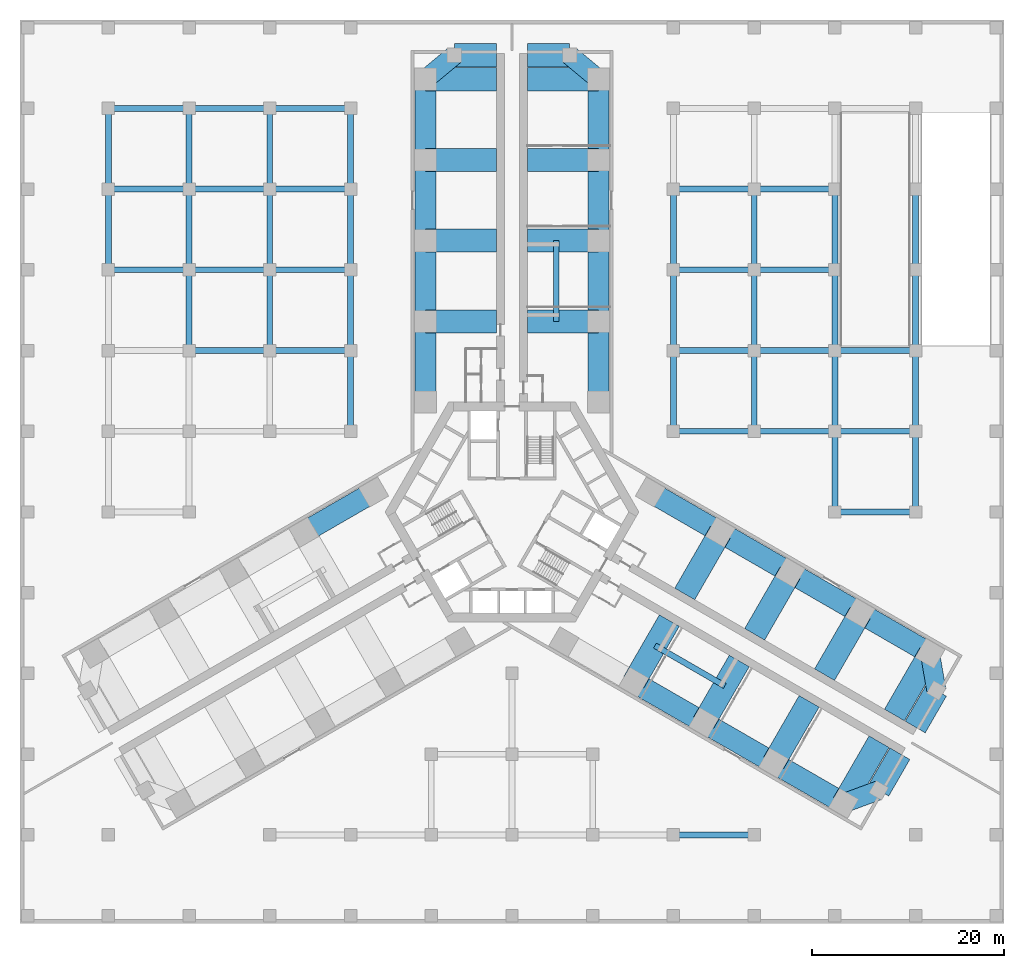
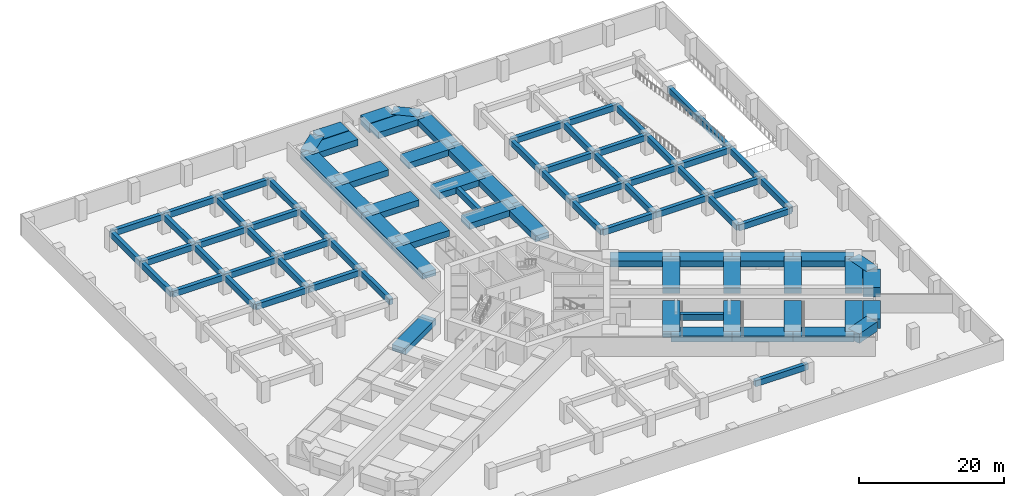
# One storey, part 2 of 10: 91 beams.
"""IFC4 building model written with IfcOpenShell, lengths in metres."""

from ifc_helpers import new_model, si_unit, direction, frame, origin, origin_2d, place, context, subcontext, project, spatial, rectangle, extrude, material, material_profile, profile_set, type_object, element, save


model = new_model("IFC4")

# Units and contexts
model_context = context("Model", 3, precision=1e-05, world=origin(), true_north=direction((0.0, 1.0)))
body_context = subcontext(model_context, "Body", "Model", "MODEL_VIEW")
ifc_project = project(units=[si_unit("LENGTHUNIT", "METRE"), si_unit("AREAUNIT", "SQUARE_METRE"), si_unit("VOLUMEUNIT", "CUBIC_METRE"), si_unit("PLANEANGLEUNIT", "RADIAN"), si_unit("MASSUNIT", "GRAM", prefix="KILO")], contexts=[model_context])

# Site, building, storey
site_placement = place(None, origin())
site = spatial("IfcSite", under=ifc_project, at=site_placement, CompositionType="ELEMENT")
building_placement = place(site_placement, origin())
building = spatial("IfcBuilding", under=site, at=building_placement, Name="Impinga Residences", CompositionType="ELEMENT")
storey_placement = place(building_placement, frame((0.0, 0.0, -3.5)))
storey = spatial("IfcBuildingStorey", under=building, at=storey_placement, Name="B1", CompositionType="ELEMENT", Elevation=-3.5)

# Beams
ifc_material = material(Name="Concrete C60/75", Category="concrete")
ifc_material_profile_1 = material_profile(ifc_material, rectangle(XDim=2.0, YDim=1.60009765625, at=origin_2d()), Name="RC 2000x1600")
ifc_profile_set_1 = profile_set([ifc_material_profile_1], Name="Concrete C60/75")
beam_type_1 = type_object("IfcBeamType", Name="CB2 2000x1600 wing end cantilever beam", PredefinedType="BEAM", material=ifc_profile_set_1)
for number, where, z_axis, x_axis, name in (
    (1, (-9.0, 45.031494140625, 2.35009765625), (0.768221279597, 0.640184399664, 0.0), (-0.640184399664, 0.768221279597, 0.0), "Beam CB2 NB N5-NX level L00"),
    (2, (9.0, 45.031494140625, 2.35009765625), (-0.768221279597, 0.640184399664, 0.0), (-0.640184399664, -0.768221279597, 0.0), "Beam CB2 NE N5-NX level L00"),
):
    element("IfcBeam", number, at=place(storey_placement, frame(where, z_axis=z_axis, x_axis=x_axis)), inside=storey, type_object=beam_type_1, Name=name, PredefinedType="BEAM", context=body_context, shape_type="SweptSolid", body=[
        extrude(rectangle(XDim=2.0, YDim=1.60009765625, at=origin_2d()), origin(), (0.0, 0.0, 1.0), 3.905029296875),
    ])
beam_1_placement = place(storey_placement, frame((43.49853515625, -14.721435546875, 2.35009765625), z_axis=(0.170296298948, -0.985392901621, 0.0), x_axis=(0.985392901621, 0.170296298948, 0.0)))
element("IfcBeam", 3, at=beam_1_placement, inside=storey, type_object=beam_type_1, Name="Beam CB2 EB E5-EX level L00", PredefinedType="BEAM", context=body_context, shape_type="SweptSolid", body=[
    extrude(rectangle(XDim=2.0, YDim=1.60009765625, at=origin_2d()), origin(), (0.0, 0.0, 1.0), 3.9052734375),
])
beam_2_placement = place(storey_placement, frame((34.49853515625, -30.31005859375, 2.35009765625), z_axis=(0.938520178725, 0.345224382289, 0.0), x_axis=(-0.345224382289, 0.938520178725, 0.0)))
element("IfcBeam", 4, at=beam_2_placement, inside=storey, type_object=beam_type_1, Name="Beam CB2 EE E5-EX level L00", PredefinedType="BEAM", context=body_context, shape_type="SweptSolid", body=[
    extrude(rectangle(XDim=2.0, YDim=1.60009765625, at=origin_2d()), origin(), (0.0, 0.0, 1.0), 3.905029296875),
])
ifc_material_profile_2 = material_profile(ifc_material, rectangle(XDim=2.39990234375, YDim=1.050048828125, at=origin_2d()), Name="RC 2400x1050")
ifc_profile_set_2 = profile_set([ifc_material_profile_2], Name="Concrete C60/75")
beam_type_2 = type_object("IfcBeamType", Name="CG3 2400x1050 cross girder on a wing bay line under the ground floor", PredefinedType="BEAM", material=ifc_profile_set_2)
for number, where, z_axis, x_axis, name in (
    (5, (-1.60009765625, 19.83154296875, 2.625), (-1.0, 0.0, 0.0), (0.0, -1.0, 0.0), "Beam CG3 N2 NC/NA level L00"),
    (6, (-1.60009765625, 28.2314453125, 2.625), (-1.0, 0.0, 0.0), (0.0, -1.0, 0.0), "Beam CG3 N3 NC/NA level L00"),
    (7, (-1.60009765625, 36.631591796875, 2.625), (-1.0, 0.0, 0.0), (0.0, -1.0, 0.0), "Beam CG3 N4 NC/NA level L00"),
    (8, (-1.60009765625, 45.031494140625, 2.625), (-1.0, 0.0, 0.0), (0.0, -1.0, 0.0), "Beam CG3 N5 NC/NA level L00"),
    (9, (1.60009765625, 19.83154296875, 2.625), (1.0, 0.0, 0.0), (0.0, 1.0, 0.0), "Beam CG3 N2 NC/NF level L00"),
    (10, (1.60009765625, 28.2314453125, 2.625), (1.0, 0.0, 0.0), (0.0, 1.0, 0.0), "Beam CG3 N3 NC/NF level L00"),
    (11, (1.60009765625, 36.631591796875, 2.625), (1.0, 0.0, 0.0), (0.0, 1.0, 0.0), "Beam CG3 N4 NC/NF level L00"),
    (12, (1.60009765625, 45.031494140625, 2.625), (1.0, 0.0, 0.0), (0.0, 1.0, 0.0), "Beam CG3 N5 NC/NF level L00"),
    (13, (17.974609375, -8.530029296875, 2.625), (0.500003285667, 0.866023506795, 0.0), (-0.866023506795, 0.500003285667, 0.0), "Beam CG3 E2 EC/EA level L00"),
):
    element("IfcBeam", number, at=place(storey_placement, frame(where, z_axis=z_axis, x_axis=x_axis)), inside=storey, type_object=beam_type_2, Name=name, PredefinedType="BEAM", context=body_context, shape_type="SweptSolid", body=[
        extrude(rectangle(XDim=2.39990234375, YDim=1.050048828125, at=origin_2d()), origin(), (0.0, 0.0, 1.0), 7.39990234375),
    ])
for number, where, z_axis, x_axis, name in (
    (14, (25.249267578125, -12.730224609375, 2.625), (0.499988999718, 0.866031754707, 0.0), (-0.866031754707, 0.499988999718, 0.0), "Beam CG3 E3 EC/EA level L00"),
    (15, (32.52392578125, -16.93017578125, 2.625), (0.499988999718, 0.866031754707, 0.0), (-0.866031754707, 0.499988999718, 0.0), "Beam CG3 E4 EC/EA level L00"),
    (16, (39.79833984375, -21.130126953125, 2.625), (0.500013743233, 0.86601746898, 0.0), (-0.86601746898, 0.500013743233, 0.0), "Beam CG3 E5 EC/EA level L00"),
):
    element("IfcBeam", number, at=place(storey_placement, frame(where, z_axis=z_axis, x_axis=x_axis)), inside=storey, type_object=beam_type_2, Name=name, PredefinedType="BEAM", context=body_context, shape_type="SweptSolid", body=[
        extrude(rectangle(XDim=2.39990234375, YDim=1.050048828125, at=origin_2d()), origin(), (0.0, 0.0, 1.0), 7.400146484375),
    ])
for number, where, z_axis, x_axis, name in (
    (17, (16.37451171875, -11.301513671875, 2.625), (-0.500003285667, -0.866023506795, 0.0), (0.866023506795, -0.500003285667, 0.0), "Beam CG3 E2 EC/EF level L00"),
    (18, (23.649169921875, -15.50146484375, 2.625), (-0.500003285667, -0.866023506795, 0.0), (0.866023506795, -0.500003285667, 0.0), "Beam CG3 E3 EC/EF level L00"),
):
    element("IfcBeam", number, at=place(storey_placement, frame(where, z_axis=z_axis, x_axis=x_axis)), inside=storey, type_object=beam_type_2, Name=name, PredefinedType="BEAM", context=body_context, shape_type="SweptSolid", body=[
        extrude(rectangle(XDim=2.39990234375, YDim=1.050048828125, at=origin_2d()), origin(), (0.0, 0.0, 1.0), 7.39990234375),
    ])
for number, where, z_axis, x_axis, name in (
    (19, (30.923828125, -19.701416015625, 2.625), (-0.499988999718, -0.866031754707, 0.0), (0.866031754707, -0.499988999718, 0.0), "Beam CG3 E4 EC/EF level L00"),
    (20, (38.198486328125, -23.9013671875, 2.625), (-0.499988999718, -0.866031754707, 0.0), (0.866031754707, -0.499988999718, 0.0), "Beam CG3 E5 EC/EF level L00"),
):
    element("IfcBeam", number, at=place(storey_placement, frame(where, z_axis=z_axis, x_axis=x_axis)), inside=storey, type_object=beam_type_2, Name=name, PredefinedType="BEAM", context=body_context, shape_type="SweptSolid", body=[
        extrude(rectangle(XDim=2.39990234375, YDim=1.050048828125, at=origin_2d()), origin(), (0.0, 0.0, 1.0), 7.400146484375),
    ])
ifc_material_profile_3 = material_profile(ifc_material, rectangle(XDim=2.39990234375, YDim=1.60009765625, at=origin_2d()), Name="RC 2400x1600")
ifc_profile_set_3 = profile_set([ifc_material_profile_3], Name="Concrete C60/75")
beam_type_3 = type_object("IfcBeamType", Name="EB2 2400x1600 wing end beam", PredefinedType="BEAM", material=ifc_profile_set_3)
for number, where, z_axis, x_axis, name in (
    (21, (-6.0, 47.531494140625, 2.35009765625), (1.0, 0.0, 0.0), (0.0, 1.0, 0.0), "Beam EB2 NX4 level L00"),
    (22, (1.60009765625, 47.531494140625, 2.35009765625), (1.0, 0.0, 0.0), (0.0, 1.0, 0.0), "Beam EB2 NX4 level L00"),
    (23, (44.16357421875, -18.569580078125, 2.35009765625), (-0.499988222896, -0.866032203192, 0.0), (0.866032203192, -0.499988222896, 0.0), "Beam EB2 EX4 level L00"),
    (24, (40.363525390625, -25.1513671875, 2.35009765625), (-0.499988222896, -0.866032203192, 0.0), (0.866032203192, -0.499988222896, 0.0), "Beam EB2 EX4 level L00"),
):
    element("IfcBeam", number, at=place(storey_placement, frame(where, z_axis=z_axis, x_axis=x_axis)), inside=storey, type_object=beam_type_3, Name=name, PredefinedType="BEAM", context=body_context, shape_type="SweptSolid", body=[
        extrude(rectangle(XDim=2.39990234375, YDim=1.60009765625, at=origin_2d()), origin(), (0.0, 0.0, 1.0), 4.39990234375),
    ])
ifc_material_profile_4 = material_profile(ifc_material, rectangle(XDim=0.60009765625, YDim=1.0, at=origin_2d()), Name="RC 600x1000")
ifc_profile_set_4 = profile_set([ifc_material_profile_4], Name="Concrete C60/75")
beam_type_4 = type_object("IfcBeamType", Name="PB1 600x1000 basement and ground floor beam", PredefinedType="BEAM", material=ifc_profile_set_4)
for number, where, z_axis, x_axis, name in (
    (25, (16.800048828125, -33.60009765625, 2.64990234375), (1.0, 0.0, 0.0), (0.0, 1.0, 0.0), "Beam PB1 B/9-10 level L00"),
    (26, (33.60009765625, 0.0, 2.64990234375), (1.0, 0.0, 0.0), (0.0, 1.0, 0.0), "Beam PB1 F/11-12 level L00"),
    (27, (16.800048828125, 8.39990234375, 2.64990234375), (1.0, 0.0, 0.0), (0.0, 1.0, 0.0), "Beam PB1 G/9-10 level L00"),
):
    element("IfcBeam", number, at=place(storey_placement, frame(where, z_axis=z_axis, x_axis=x_axis)), inside=storey, type_object=beam_type_4, Name=name, PredefinedType="BEAM", context=body_context, shape_type="SweptSolid", body=[
        extrude(rectangle(XDim=0.60009765625, YDim=1.0, at=origin_2d()), origin(), (0.0, 0.0, 1.0), 8.39990234375),
    ])
beam_3_placement = place(storey_placement, frame((25.199951171875, 8.39990234375, 2.64990234375), z_axis=(1.0, 0.0, 0.0), x_axis=(0.0, 1.0, 0.0)))
element("IfcBeam", 28, at=beam_3_placement, inside=storey, type_object=beam_type_4, Name="Beam PB1 G/10-11 level L00", PredefinedType="BEAM", context=body_context, shape_type="SweptSolid", body=[
    extrude(rectangle(XDim=0.60009765625, YDim=1.0, at=origin_2d()), origin(), (0.0, 0.0, 1.0), 8.400146484375),
])
beam_4_placement = place(storey_placement, frame((33.60009765625, 8.39990234375, 2.64990234375), z_axis=(1.0, 0.0, 0.0), x_axis=(0.0, 1.0, 0.0)))
element("IfcBeam", 29, at=beam_4_placement, inside=storey, type_object=beam_type_4, Name="Beam PB1 G/11-12 level L00", PredefinedType="BEAM", context=body_context, shape_type="SweptSolid", body=[
    extrude(rectangle(XDim=0.60009765625, YDim=1.0, at=origin_2d()), origin(), (0.0, 0.0, 1.0), 8.39990234375),
])
beam_5_placement = place(storey_placement, frame((-33.60009765625, 16.800048828125, 2.64990234375), z_axis=(1.0, 0.0, 0.0), x_axis=(0.0, 1.0, 0.0)))
element("IfcBeam", 30, at=beam_5_placement, inside=storey, type_object=beam_type_4, Name="Beam PB1 H/3-4 level L00", PredefinedType="BEAM", context=body_context, shape_type="SweptSolid", body=[
    extrude(rectangle(XDim=0.60009765625, YDim=1.0, at=origin_2d()), origin(), (0.0, 0.0, 1.0), 8.400146484375),
])
for number, where, z_axis, x_axis, name in (
    (31, (-25.199951171875, 16.800048828125, 2.64990234375), (1.0, 0.0, 0.0), (0.0, 1.0, 0.0), "Beam PB1 H/4-5 level L00"),
    (32, (16.800048828125, 16.800048828125, 2.64990234375), (1.0, 0.0, 0.0), (0.0, 1.0, 0.0), "Beam PB1 H/9-10 level L00"),
):
    element("IfcBeam", number, at=place(storey_placement, frame(where, z_axis=z_axis, x_axis=x_axis)), inside=storey, type_object=beam_type_4, Name=name, PredefinedType="BEAM", context=body_context, shape_type="SweptSolid", body=[
        extrude(rectangle(XDim=0.60009765625, YDim=1.0, at=origin_2d()), origin(), (0.0, 0.0, 1.0), 8.39990234375),
    ])
beam_6_placement = place(storey_placement, frame((25.199951171875, 16.800048828125, 2.64990234375), z_axis=(1.0, 0.0, 0.0), x_axis=(0.0, 1.0, 0.0)))
element("IfcBeam", 33, at=beam_6_placement, inside=storey, type_object=beam_type_4, Name="Beam PB1 H/10-11 level L00", PredefinedType="BEAM", context=body_context, shape_type="SweptSolid", body=[
    extrude(rectangle(XDim=0.60009765625, YDim=1.0, at=origin_2d()), origin(), (0.0, 0.0, 1.0), 8.400146484375),
])
for number, where, z_axis, x_axis, name in (
    (34, (33.60009765625, 16.800048828125, 2.64990234375), (1.0, 0.0, 0.0), (0.0, 1.0, 0.0), "Beam PB1 H/11-12 level L00"),
    (35, (-42.0, 25.199951171875, 2.64990234375), (1.0, 0.0, 0.0), (0.0, 1.0, 0.0), "Beam PB1 J/2-3 level L00"),
):
    element("IfcBeam", number, at=place(storey_placement, frame(where, z_axis=z_axis, x_axis=x_axis)), inside=storey, type_object=beam_type_4, Name=name, PredefinedType="BEAM", context=body_context, shape_type="SweptSolid", body=[
        extrude(rectangle(XDim=0.60009765625, YDim=1.0, at=origin_2d()), origin(), (0.0, 0.0, 1.0), 8.39990234375),
    ])
beam_7_placement = place(storey_placement, frame((-33.60009765625, 25.199951171875, 2.64990234375), z_axis=(1.0, 0.0, 0.0), x_axis=(0.0, 1.0, 0.0)))
element("IfcBeam", 36, at=beam_7_placement, inside=storey, type_object=beam_type_4, Name="Beam PB1 J/3-4 level L00", PredefinedType="BEAM", context=body_context, shape_type="SweptSolid", body=[
    extrude(rectangle(XDim=0.60009765625, YDim=1.0, at=origin_2d()), origin(), (0.0, 0.0, 1.0), 8.400146484375),
])
for number, where, z_axis, x_axis, name in (
    (37, (-25.199951171875, 25.199951171875, 2.64990234375), (1.0, 0.0, 0.0), (0.0, 1.0, 0.0), "Beam PB1 J/4-5 level L00"),
    (38, (16.800048828125, 25.199951171875, 2.64990234375), (1.0, 0.0, 0.0), (0.0, 1.0, 0.0), "Beam PB1 J/9-10 level L00"),
):
    element("IfcBeam", number, at=place(storey_placement, frame(where, z_axis=z_axis, x_axis=x_axis)), inside=storey, type_object=beam_type_4, Name=name, PredefinedType="BEAM", context=body_context, shape_type="SweptSolid", body=[
        extrude(rectangle(XDim=0.60009765625, YDim=1.0, at=origin_2d()), origin(), (0.0, 0.0, 1.0), 8.39990234375),
    ])
beam_8_placement = place(storey_placement, frame((25.199951171875, 25.199951171875, 2.64990234375), z_axis=(1.0, 0.0, 0.0), x_axis=(0.0, 1.0, 0.0)))
element("IfcBeam", 39, at=beam_8_placement, inside=storey, type_object=beam_type_4, Name="Beam PB1 J/10-11 level L00", PredefinedType="BEAM", context=body_context, shape_type="SweptSolid", body=[
    extrude(rectangle(XDim=0.60009765625, YDim=1.0, at=origin_2d()), origin(), (0.0, 0.0, 1.0), 8.400146484375),
])
beam_9_placement = place(storey_placement, frame((-42.0, 33.60009765625, 2.64990234375), z_axis=(1.0, 0.0, 0.0), x_axis=(0.0, 1.0, 0.0)))
element("IfcBeam", 40, at=beam_9_placement, inside=storey, type_object=beam_type_4, Name="Beam PB1 K/2-3 level L00", PredefinedType="BEAM", context=body_context, shape_type="SweptSolid", body=[
    extrude(rectangle(XDim=0.60009765625, YDim=1.0, at=origin_2d()), origin(), (0.0, 0.0, 1.0), 8.39990234375),
])
beam_10_placement = place(storey_placement, frame((-33.60009765625, 33.60009765625, 2.64990234375), z_axis=(1.0, 0.0, 0.0), x_axis=(0.0, 1.0, 0.0)))
element("IfcBeam", 41, at=beam_10_placement, inside=storey, type_object=beam_type_4, Name="Beam PB1 K/3-4 level L00", PredefinedType="BEAM", context=body_context, shape_type="SweptSolid", body=[
    extrude(rectangle(XDim=0.60009765625, YDim=1.0, at=origin_2d()), origin(), (0.0, 0.0, 1.0), 8.400146484375),
])
for number, where, z_axis, x_axis, name in (
    (42, (-25.199951171875, 33.60009765625, 2.64990234375), (1.0, 0.0, 0.0), (0.0, 1.0, 0.0), "Beam PB1 K/4-5 level L00"),
    (43, (16.800048828125, 33.60009765625, 2.64990234375), (1.0, 0.0, 0.0), (0.0, 1.0, 0.0), "Beam PB1 K/9-10 level L00"),
):
    element("IfcBeam", number, at=place(storey_placement, frame(where, z_axis=z_axis, x_axis=x_axis)), inside=storey, type_object=beam_type_4, Name=name, PredefinedType="BEAM", context=body_context, shape_type="SweptSolid", body=[
        extrude(rectangle(XDim=0.60009765625, YDim=1.0, at=origin_2d()), origin(), (0.0, 0.0, 1.0), 8.39990234375),
    ])
beam_11_placement = place(storey_placement, frame((25.199951171875, 33.60009765625, 2.64990234375), z_axis=(1.0, 0.0, 0.0), x_axis=(0.0, 1.0, 0.0)))
element("IfcBeam", 44, at=beam_11_placement, inside=storey, type_object=beam_type_4, Name="Beam PB1 K/10-11 level L00", PredefinedType="BEAM", context=body_context, shape_type="SweptSolid", body=[
    extrude(rectangle(XDim=0.60009765625, YDim=1.0, at=origin_2d()), origin(), (0.0, 0.0, 1.0), 8.400146484375),
])
beam_12_placement = place(storey_placement, frame((-42.0, 42.0, 2.64990234375), z_axis=(1.0, 0.0, 0.0), x_axis=(0.0, 1.0, 0.0)))
element("IfcBeam", 45, at=beam_12_placement, inside=storey, type_object=beam_type_4, Name="Beam PB1 L/2-3 level L00", PredefinedType="BEAM", context=body_context, shape_type="SweptSolid", body=[
    extrude(rectangle(XDim=0.60009765625, YDim=1.0, at=origin_2d()), origin(), (0.0, 0.0, 1.0), 8.39990234375),
])
beam_13_placement = place(storey_placement, frame((-33.60009765625, 42.0, 2.64990234375), z_axis=(1.0, 0.0, 0.0), x_axis=(0.0, 1.0, 0.0)))
element("IfcBeam", 46, at=beam_13_placement, inside=storey, type_object=beam_type_4, Name="Beam PB1 L/3-4 level L00", PredefinedType="BEAM", context=body_context, shape_type="SweptSolid", body=[
    extrude(rectangle(XDim=0.60009765625, YDim=1.0, at=origin_2d()), origin(), (0.0, 0.0, 1.0), 8.400146484375),
])
beam_14_placement = place(storey_placement, frame((-25.199951171875, 42.0, 2.64990234375), z_axis=(1.0, 0.0, 0.0), x_axis=(0.0, 1.0, 0.0)))
element("IfcBeam", 47, at=beam_14_placement, inside=storey, type_object=beam_type_4, Name="Beam PB1 L/4-5 level L00", PredefinedType="BEAM", context=body_context, shape_type="SweptSolid", body=[
    extrude(rectangle(XDim=0.60009765625, YDim=1.0, at=origin_2d()), origin(), (0.0, 0.0, 1.0), 8.39990234375),
])
beam_15_placement = place(storey_placement, frame((-42.0, 25.199951171875, 2.64990234375), z_axis=(0.0, 1.0, 0.0), x_axis=(-1.0, 0.0, 0.0)))
element("IfcBeam", 48, at=beam_15_placement, inside=storey, type_object=beam_type_4, Name="Beam PB1 2/J-K level L00", PredefinedType="BEAM", context=body_context, shape_type="SweptSolid", body=[
    extrude(rectangle(XDim=0.60009765625, YDim=1.0, at=origin_2d()), origin(), (0.0, 0.0, 1.0), 8.400146484375),
])
for number, where, z_axis, x_axis, name in (
    (49, (-42.0, 33.60009765625, 2.64990234375), (0.0, 1.0, 0.0), (-1.0, 0.0, 0.0), "Beam PB1 2/K-L level L00"),
    (50, (-33.60009765625, 16.800048828125, 2.64990234375), (0.0, 1.0, 0.0), (-1.0, 0.0, 0.0), "Beam PB1 3/H-J level L00"),
):
    element("IfcBeam", number, at=place(storey_placement, frame(where, z_axis=z_axis, x_axis=x_axis)), inside=storey, type_object=beam_type_4, Name=name, PredefinedType="BEAM", context=body_context, shape_type="SweptSolid", body=[
        extrude(rectangle(XDim=0.60009765625, YDim=1.0, at=origin_2d()), origin(), (0.0, 0.0, 1.0), 8.39990234375),
    ])
beam_16_placement = place(storey_placement, frame((-33.60009765625, 25.199951171875, 2.64990234375), z_axis=(0.0, 1.0, 0.0), x_axis=(-1.0, 0.0, 0.0)))
element("IfcBeam", 51, at=beam_16_placement, inside=storey, type_object=beam_type_4, Name="Beam PB1 3/J-K level L00", PredefinedType="BEAM", context=body_context, shape_type="SweptSolid", body=[
    extrude(rectangle(XDim=0.60009765625, YDim=1.0, at=origin_2d()), origin(), (0.0, 0.0, 1.0), 8.400146484375),
])
for number, where, z_axis, x_axis, name in (
    (52, (-33.60009765625, 33.60009765625, 2.64990234375), (0.0, 1.0, 0.0), (-1.0, 0.0, 0.0), "Beam PB1 3/K-L level L00"),
    (53, (-25.199951171875, 16.800048828125, 2.64990234375), (0.0, 1.0, 0.0), (-1.0, 0.0, 0.0), "Beam PB1 4/H-J level L00"),
):
    element("IfcBeam", number, at=place(storey_placement, frame(where, z_axis=z_axis, x_axis=x_axis)), inside=storey, type_object=beam_type_4, Name=name, PredefinedType="BEAM", context=body_context, shape_type="SweptSolid", body=[
        extrude(rectangle(XDim=0.60009765625, YDim=1.0, at=origin_2d()), origin(), (0.0, 0.0, 1.0), 8.39990234375),
    ])
beam_17_placement = place(storey_placement, frame((-25.199951171875, 25.199951171875, 2.64990234375), z_axis=(0.0, 1.0, 0.0), x_axis=(-1.0, 0.0, 0.0)))
element("IfcBeam", 54, at=beam_17_placement, inside=storey, type_object=beam_type_4, Name="Beam PB1 4/J-K level L00", PredefinedType="BEAM", context=body_context, shape_type="SweptSolid", body=[
    extrude(rectangle(XDim=0.60009765625, YDim=1.0, at=origin_2d()), origin(), (0.0, 0.0, 1.0), 8.400146484375),
])
beam_18_placement = place(storey_placement, frame((-25.199951171875, 33.60009765625, 2.64990234375), z_axis=(0.0, 1.0, 0.0), x_axis=(-1.0, 0.0, 0.0)))
element("IfcBeam", 55, at=beam_18_placement, inside=storey, type_object=beam_type_4, Name="Beam PB1 4/K-L level L00", PredefinedType="BEAM", context=body_context, shape_type="SweptSolid", body=[
    extrude(rectangle(XDim=0.60009765625, YDim=1.0, at=origin_2d()), origin(), (0.0, 0.0, 1.0), 8.39990234375),
])
beam_19_placement = place(storey_placement, frame((-16.800048828125, 8.39990234375, 2.64990234375), z_axis=(0.0, 1.0, 0.0), x_axis=(-1.0, 0.0, 0.0)))
element("IfcBeam", 56, at=beam_19_placement, inside=storey, type_object=beam_type_4, Name="Beam PB1 5/G-H level L00", PredefinedType="BEAM", context=body_context, shape_type="SweptSolid", body=[
    extrude(rectangle(XDim=0.60009765625, YDim=1.0, at=origin_2d()), origin(), (0.0, 0.0, 1.0), 8.400146484375),
])
beam_20_placement = place(storey_placement, frame((-16.800048828125, 16.800048828125, 2.64990234375), z_axis=(0.0, 1.0, 0.0), x_axis=(-1.0, 0.0, 0.0)))
element("IfcBeam", 57, at=beam_20_placement, inside=storey, type_object=beam_type_4, Name="Beam PB1 5/H-J level L00", PredefinedType="BEAM", context=body_context, shape_type="SweptSolid", body=[
    extrude(rectangle(XDim=0.60009765625, YDim=1.0, at=origin_2d()), origin(), (0.0, 0.0, 1.0), 8.39990234375),
])
beam_21_placement = place(storey_placement, frame((-16.800048828125, 25.199951171875, 2.64990234375), z_axis=(0.0, 1.0, 0.0), x_axis=(-1.0, 0.0, 0.0)))
element("IfcBeam", 58, at=beam_21_placement, inside=storey, type_object=beam_type_4, Name="Beam PB1 5/J-K level L00", PredefinedType="BEAM", context=body_context, shape_type="SweptSolid", body=[
    extrude(rectangle(XDim=0.60009765625, YDim=1.0, at=origin_2d()), origin(), (0.0, 0.0, 1.0), 8.400146484375),
])
beam_22_placement = place(storey_placement, frame((-16.800048828125, 33.60009765625, 2.64990234375), z_axis=(0.0, 1.0, 0.0), x_axis=(-1.0, 0.0, 0.0)))
element("IfcBeam", 59, at=beam_22_placement, inside=storey, type_object=beam_type_4, Name="Beam PB1 5/K-L level L00", PredefinedType="BEAM", context=body_context, shape_type="SweptSolid", body=[
    extrude(rectangle(XDim=0.60009765625, YDim=1.0, at=origin_2d()), origin(), (0.0, 0.0, 1.0), 8.39990234375),
])
beam_23_placement = place(storey_placement, frame((16.800048828125, 8.39990234375, 2.64990234375), z_axis=(0.0, 1.0, 0.0), x_axis=(-1.0, 0.0, 0.0)))
element("IfcBeam", 60, at=beam_23_placement, inside=storey, type_object=beam_type_4, Name="Beam PB1 9/G-H level L00", PredefinedType="BEAM", context=body_context, shape_type="SweptSolid", body=[
    extrude(rectangle(XDim=0.60009765625, YDim=1.0, at=origin_2d()), origin(), (0.0, 0.0, 1.0), 8.400146484375),
])
beam_24_placement = place(storey_placement, frame((16.800048828125, 16.800048828125, 2.64990234375), z_axis=(0.0, 1.0, 0.0), x_axis=(-1.0, 0.0, 0.0)))
element("IfcBeam", 61, at=beam_24_placement, inside=storey, type_object=beam_type_4, Name="Beam PB1 9/H-J level L00", PredefinedType="BEAM", context=body_context, shape_type="SweptSolid", body=[
    extrude(rectangle(XDim=0.60009765625, YDim=1.0, at=origin_2d()), origin(), (0.0, 0.0, 1.0), 8.39990234375),
])
for number, where, z_axis, x_axis, name in (
    (62, (16.800048828125, 25.199951171875, 2.64990234375), (0.0, 1.0, 0.0), (-1.0, 0.0, 0.0), "Beam PB1 9/J-K level L00"),
    (63, (25.199951171875, 8.39990234375, 2.64990234375), (0.0, 1.0, 0.0), (-1.0, 0.0, 0.0), "Beam PB1 10/G-H level L00"),
):
    element("IfcBeam", number, at=place(storey_placement, frame(where, z_axis=z_axis, x_axis=x_axis)), inside=storey, type_object=beam_type_4, Name=name, PredefinedType="BEAM", context=body_context, shape_type="SweptSolid", body=[
        extrude(rectangle(XDim=0.60009765625, YDim=1.0, at=origin_2d()), origin(), (0.0, 0.0, 1.0), 8.400146484375),
    ])
beam_25_placement = place(storey_placement, frame((25.199951171875, 16.800048828125, 2.64990234375), z_axis=(0.0, 1.0, 0.0), x_axis=(-1.0, 0.0, 0.0)))
element("IfcBeam", 64, at=beam_25_placement, inside=storey, type_object=beam_type_4, Name="Beam PB1 10/H-J level L00", PredefinedType="BEAM", context=body_context, shape_type="SweptSolid", body=[
    extrude(rectangle(XDim=0.60009765625, YDim=1.0, at=origin_2d()), origin(), (0.0, 0.0, 1.0), 8.39990234375),
])
beam_26_placement = place(storey_placement, frame((25.199951171875, 25.199951171875, 2.64990234375), z_axis=(0.0, 1.0, 0.0), x_axis=(-1.0, 0.0, 0.0)))
element("IfcBeam", 65, at=beam_26_placement, inside=storey, type_object=beam_type_4, Name="Beam PB1 10/J-K level L00", PredefinedType="BEAM", context=body_context, shape_type="SweptSolid", body=[
    extrude(rectangle(XDim=0.60009765625, YDim=1.0, at=origin_2d()), origin(), (0.0, 0.0, 1.0), 8.400146484375),
])
beam_27_placement = place(storey_placement, frame((33.60009765625, 0.0, 2.64990234375), z_axis=(0.0, 1.0, 0.0), x_axis=(-1.0, 0.0, 0.0)))
element("IfcBeam", 66, at=beam_27_placement, inside=storey, type_object=beam_type_4, Name="Beam PB1 11/F-G level L00", PredefinedType="BEAM", context=body_context, shape_type="SweptSolid", body=[
    extrude(rectangle(XDim=0.60009765625, YDim=1.0, at=origin_2d()), origin(), (0.0, 0.0, 1.0), 8.39990234375),
])
beam_28_placement = place(storey_placement, frame((33.60009765625, 8.39990234375, 2.64990234375), z_axis=(0.0, 1.0, 0.0), x_axis=(-1.0, 0.0, 0.0)))
element("IfcBeam", 67, at=beam_28_placement, inside=storey, type_object=beam_type_4, Name="Beam PB1 11/G-H level L00", PredefinedType="BEAM", context=body_context, shape_type="SweptSolid", body=[
    extrude(rectangle(XDim=0.60009765625, YDim=1.0, at=origin_2d()), origin(), (0.0, 0.0, 1.0), 8.400146484375),
])
beam_29_placement = place(storey_placement, frame((33.60009765625, 16.800048828125, 2.64990234375), z_axis=(0.0, 1.0, 0.0), x_axis=(-1.0, 0.0, 0.0)))
element("IfcBeam", 68, at=beam_29_placement, inside=storey, type_object=beam_type_4, Name="Beam PB1 11/H-J level L00", PredefinedType="BEAM", context=body_context, shape_type="SweptSolid", body=[
    extrude(rectangle(XDim=0.60009765625, YDim=1.0, at=origin_2d()), origin(), (0.0, 0.0, 1.0), 8.39990234375),
])
beam_30_placement = place(storey_placement, frame((33.60009765625, 25.199951171875, 2.64990234375), z_axis=(0.0, 1.0, 0.0), x_axis=(-1.0, 0.0, 0.0)))
element("IfcBeam", 69, at=beam_30_placement, inside=storey, type_object=beam_type_4, Name="Beam PB1 11/J-K level L00", PredefinedType="BEAM", context=body_context, shape_type="SweptSolid", body=[
    extrude(rectangle(XDim=0.60009765625, YDim=1.0, at=origin_2d()), origin(), (0.0, 0.0, 1.0), 8.400146484375),
])
beam_31_placement = place(storey_placement, frame((42.0, 0.0, 2.64990234375), z_axis=(0.0, 1.0, 0.0), x_axis=(-1.0, 0.0, 0.0)))
element("IfcBeam", 70, at=beam_31_placement, inside=storey, type_object=beam_type_4, Name="Beam PB1 12/F-G level L00", PredefinedType="BEAM", context=body_context, shape_type="SweptSolid", body=[
    extrude(rectangle(XDim=0.60009765625, YDim=1.0, at=origin_2d()), origin(), (0.0, 0.0, 1.0), 8.39990234375),
])
beam_32_placement = place(storey_placement, frame((42.0, 8.39990234375, 2.64990234375), z_axis=(0.0, 1.0, 0.0), x_axis=(-1.0, 0.0, 0.0)))
element("IfcBeam", 71, at=beam_32_placement, inside=storey, type_object=beam_type_4, Name="Beam PB1 12/G-H level L00", PredefinedType="BEAM", context=body_context, shape_type="SweptSolid", body=[
    extrude(rectangle(XDim=0.60009765625, YDim=1.0, at=origin_2d()), origin(), (0.0, 0.0, 1.0), 8.400146484375),
])
beam_33_placement = place(storey_placement, frame((42.0, 16.800048828125, 2.64990234375), z_axis=(0.0, 1.0, 0.0), x_axis=(-1.0, 0.0, 0.0)))
element("IfcBeam", 72, at=beam_33_placement, inside=storey, type_object=beam_type_4, Name="Beam PB1 12/H-J level L00", PredefinedType="BEAM", context=body_context, shape_type="SweptSolid", body=[
    extrude(rectangle(XDim=0.60009765625, YDim=1.0, at=origin_2d()), origin(), (0.0, 0.0, 1.0), 8.39990234375),
])
beam_34_placement = place(storey_placement, frame((42.0, 25.199951171875, 2.64990234375), z_axis=(0.0, 1.0, 0.0), x_axis=(-1.0, 0.0, 0.0)))
element("IfcBeam", 73, at=beam_34_placement, inside=storey, type_object=beam_type_4, Name="Beam PB1 12/J-K level L00", PredefinedType="BEAM", context=body_context, shape_type="SweptSolid", body=[
    extrude(rectangle(XDim=0.60009765625, YDim=1.0, at=origin_2d()), origin(), (0.0, 0.0, 1.0), 8.400146484375),
])
ifc_material_profile_5 = material_profile(ifc_material, rectangle(XDim=2.199951171875, YDim=1.0, at=origin_2d()), Name="RC 2200x1000")
ifc_profile_set_5 = profile_set([ifc_material_profile_5], Name="Concrete C60/75")
beam_type_5 = type_object("IfcBeamType", Name="PB3 2200x1000 podium band beam", PredefinedType="BEAM", material=ifc_profile_set_5)
for number, where, z_axis, x_axis, name in (
    (74, (-9.0, 11.431640625, 2.64990234375), (0.0, 1.0, 0.0), (-1.0, 0.0, 0.0), "Beam PB3 NA N1-N2 level L00"),
    (75, (-9.0, 19.83154296875, 2.64990234375), (0.0, 1.0, 0.0), (-1.0, 0.0, 0.0), "Beam PB3 NA N2-N3 level L00"),
):
    element("IfcBeam", number, at=place(storey_placement, frame(where, z_axis=z_axis, x_axis=x_axis)), inside=storey, type_object=beam_type_5, Name=name, PredefinedType="BEAM", context=body_context, shape_type="SweptSolid", body=[
        extrude(rectangle(XDim=2.199951171875, YDim=1.0, at=origin_2d()), origin(), (0.0, 0.0, 1.0), 8.39990234375),
    ])
beam_35_placement = place(storey_placement, frame((-9.0, 28.2314453125, 2.64990234375), z_axis=(0.0, 1.0, 0.0), x_axis=(-1.0, 0.0, 0.0)))
element("IfcBeam", 76, at=beam_35_placement, inside=storey, type_object=beam_type_5, Name="Beam PB3 NA N3-N4 level L00", PredefinedType="BEAM", context=body_context, shape_type="SweptSolid", body=[
    extrude(rectangle(XDim=2.199951171875, YDim=1.0, at=origin_2d()), origin(), (0.0, 0.0, 1.0), 8.400146484375),
])
for number, where, z_axis, x_axis, name in (
    (77, (-9.0, 36.631591796875, 2.64990234375), (0.0, 1.0, 0.0), (-1.0, 0.0, 0.0), "Beam PB3 NA N4-N5 level L00"),
    (78, (9.0, 11.431640625, 2.64990234375), (0.0, 1.0, 0.0), (-1.0, 0.0, 0.0), "Beam PB3 NF N1-N2 level L00"),
    (79, (9.0, 19.83154296875, 2.64990234375), (0.0, 1.0, 0.0), (-1.0, 0.0, 0.0), "Beam PB3 NF N2-N3 level L00"),
):
    element("IfcBeam", number, at=place(storey_placement, frame(where, z_axis=z_axis, x_axis=x_axis)), inside=storey, type_object=beam_type_5, Name=name, PredefinedType="BEAM", context=body_context, shape_type="SweptSolid", body=[
        extrude(rectangle(XDim=2.199951171875, YDim=1.0, at=origin_2d()), origin(), (0.0, 0.0, 1.0), 8.39990234375),
    ])
beam_36_placement = place(storey_placement, frame((9.0, 28.2314453125, 2.64990234375), z_axis=(0.0, 1.0, 0.0), x_axis=(-1.0, 0.0, 0.0)))
element("IfcBeam", 80, at=beam_36_placement, inside=storey, type_object=beam_type_5, Name="Beam PB3 NF N3-N4 level L00", PredefinedType="BEAM", context=body_context, shape_type="SweptSolid", body=[
    extrude(rectangle(XDim=2.199951171875, YDim=1.0, at=origin_2d()), origin(), (0.0, 0.0, 1.0), 8.400146484375),
])
for number, where, z_axis, x_axis, name in (
    (81, (9.0, 36.631591796875, 2.64990234375), (0.0, 1.0, 0.0), (-1.0, 0.0, 0.0), "Beam PB3 NF N4-N5 level L00"),
    (82, (-14.39990234375, 2.078369140625, 2.64990234375), (-0.86602925447, -0.499993330357, 0.0), (0.499993330357, -0.86602925447, 0.0), "Beam PB3 WF W1-W2 level L00"),
    (83, (14.39990234375, 2.078369140625, 2.64990234375), (0.86602925447, -0.499993330357, 0.0), (0.499993330357, 0.86602925447, 0.0), "Beam PB3 EA E1-E2 level L00"),
    (84, (21.674560546875, -2.12158203125, 2.64990234375), (0.86602925447, -0.499993330357, 0.0), (0.499993330357, 0.86602925447, 0.0), "Beam PB3 EA E2-E3 level L00"),
    (85, (28.94921875, -6.321533203125, 2.64990234375), (0.86602925447, -0.499993330357, 0.0), (0.499993330357, 0.86602925447, 0.0), "Beam PB3 EA E3-E4 level L00"),
    (86, (36.223876953125, -10.521484375, 2.64990234375), (0.86602925447, -0.499993330357, 0.0), (0.499993330357, 0.86602925447, 0.0), "Beam PB3 EA E4-E5 level L00"),
    (87, (12.674560546875, -17.7099609375, 2.64990234375), (0.86602925447, -0.499993330357, 0.0), (0.499993330357, 0.86602925447, 0.0), "Beam PB3 EF E2-E3 level L00"),
):
    element("IfcBeam", number, at=place(storey_placement, frame(where, z_axis=z_axis, x_axis=x_axis)), inside=storey, type_object=beam_type_5, Name=name, PredefinedType="BEAM", context=body_context, shape_type="SweptSolid", body=[
        extrude(rectangle(XDim=2.199951171875, YDim=1.0, at=origin_2d()), origin(), (0.0, 0.0, 1.0), 8.39990234375),
    ])
beam_37_placement = place(storey_placement, frame((19.94921875, -21.909912109375, 2.64990234375), z_axis=(0.866016669275, -0.500015128309, 0.0), x_axis=(0.500015128309, 0.866016669275, 0.0)))
element("IfcBeam", 88, at=beam_37_placement, inside=storey, type_object=beam_type_5, Name="Beam PB3 EF E3-E4 level L00", PredefinedType="BEAM", context=body_context, shape_type="SweptSolid", body=[
    extrude(rectangle(XDim=2.199951171875, YDim=1.0, at=origin_2d()), origin(), (0.0, 0.0, 1.0), 8.400146484375),
])
beam_38_placement = place(storey_placement, frame((27.223876953125, -26.110107421875, 2.64990234375), z_axis=(0.86602925447, -0.499993330357, 0.0), x_axis=(0.499993330357, 0.86602925447, 0.0)))
element("IfcBeam", 89, at=beam_38_placement, inside=storey, type_object=beam_type_5, Name="Beam PB3 EF E4-E5 level L00", PredefinedType="BEAM", context=body_context, shape_type="SweptSolid", body=[
    extrude(rectangle(XDim=2.199951171875, YDim=1.0, at=origin_2d()), origin(), (0.0, 0.0, 1.0), 8.39990234375),
])
ifc_material_profile_6 = material_profile(ifc_material, rectangle(XDim=0.60009765625, YDim=1.0, at=origin_2d()), Name="RC 600x1000")
ifc_profile_set_6 = profile_set([ifc_material_profile_6], Name="Concrete C60/75")
beam_type_6 = type_object("IfcBeamType", Name="SB2 600x1000 support beam under a stair enclosure or lift divider wall", PredefinedType="BEAM", material=ifc_profile_set_6)
for number, where, z_axis, x_axis, name in (
    (90, (4.60009765625, 19.83154296875, 2.64990234375), (0.0, 1.0, 0.0), (-1.0, 0.0, 0.0), "Beam SB2 N stair enclosure OUT level L00"),
    (91, (14.87451171875, -13.8994140625, 2.64990234375), (0.86602925447, -0.499993330357, 0.0), (0.499993330357, 0.86602925447, 0.0), "Beam SB2 E stair enclosure OUT level L00"),
):
    element("IfcBeam", number, at=place(storey_placement, frame(where, z_axis=z_axis, x_axis=x_axis)), inside=storey, type_object=beam_type_6, Name=name, PredefinedType="BEAM", context=body_context, shape_type="SweptSolid", body=[
        extrude(rectangle(XDim=0.60009765625, YDim=1.0, at=origin_2d()), origin(), (0.0, 0.0, 1.0), 8.39990234375),
    ])

save(model, "model.ifc")
